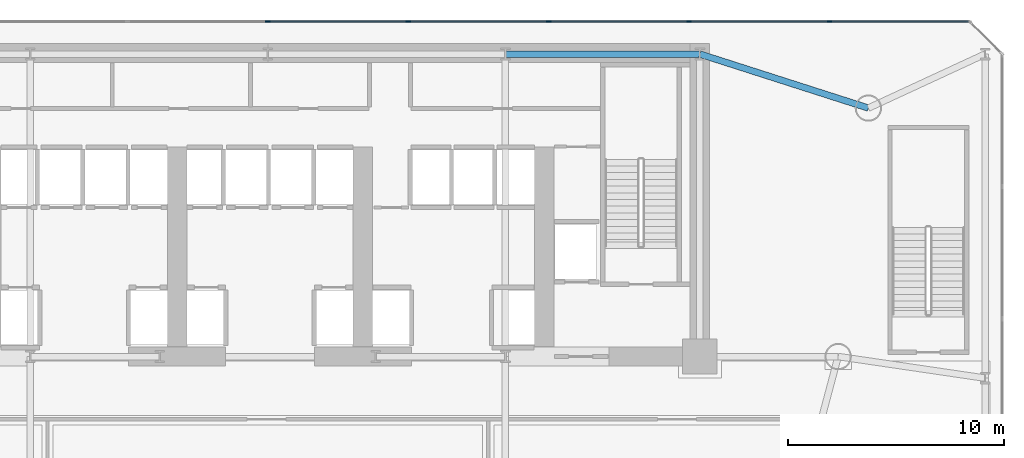
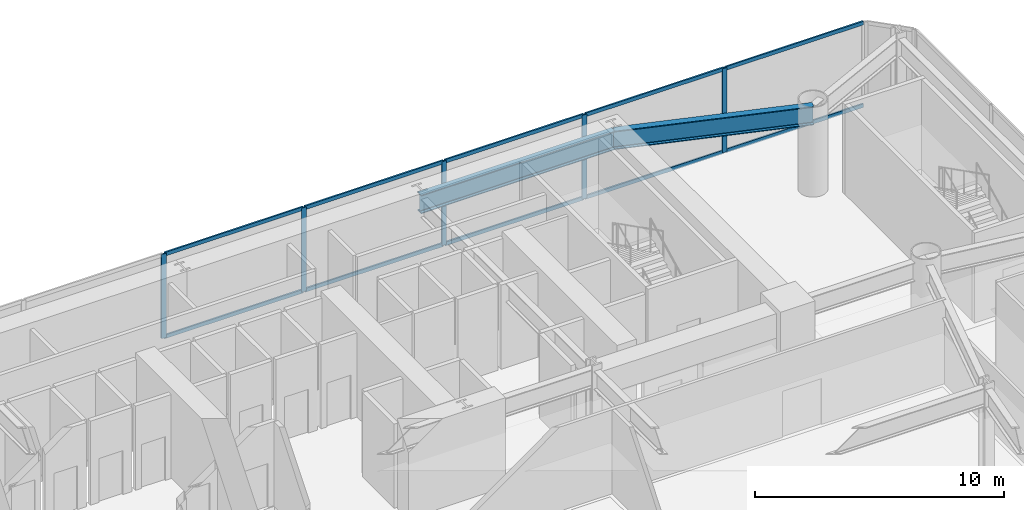
# One storey, part 9 of 24: 15 members, 2 beams, 1 element without a shape of its own.
"""IFC4 building model written with IfcOpenShell, lengths in metres."""

from ifc_helpers import new_model, si_unit, direction, frame, origin, origin_2d, place, context, subcontext, project, spatial, rectangle, i_section, extrude, source, transform, mapped, material, layer, layer_set, material_profile, profile_set, type_object, element, aggregate, save


model = new_model("IFC4")

# Units and contexts
model_context = context("Model", 3, precision=1e-05, world=origin(), true_north=direction((0.0, 1.0)))
body_context = subcontext(model_context, "Body", "Model", "MODEL_VIEW")
ifc_project = project(units=[si_unit("LENGTHUNIT", "METRE"), si_unit("AREAUNIT", "SQUARE_METRE"), si_unit("VOLUMEUNIT", "CUBIC_METRE"), si_unit("PLANEANGLEUNIT", "RADIAN"), si_unit("MASSUNIT", "GRAM", prefix="KILO")], contexts=[model_context])

# Site, building, storey
site_placement = place(None, origin())
site = spatial("IfcSite", under=ifc_project, at=site_placement, CompositionType="ELEMENT")
building_placement = place(site_placement, origin())
building = spatial("IfcBuilding", under=site, at=building_placement, Name="Vaeldorn Concourse Tower", CompositionType="ELEMENT")
storey_placement = place(building_placement, frame((0.0, 0.0, 10.0)))
storey = spatial("IfcBuildingStorey", under=building, at=storey_placement, Name="L02", CompositionType="ELEMENT", Elevation=10.0)

# Beams
ifc_material_1 = material(Name="Steel S355", Category="steel")
ifc_material_profile_1 = material_profile(ifc_material_1, i_section(OverallWidth=0.302001953125, OverallDepth=0.909912109375, WebThickness=0.02099609375, FlangeThickness=0.0400390625, FilletRadius=0.030029296875, at=origin_2d()), Name="HEM 900")
ifc_profile_set_1 = profile_set([ifc_material_profile_1], Name="Steel S355")
beam_type = type_object("IfcBeamType", Name="BM-PG-HEM900", PredefinedType="BEAM", material=ifc_profile_set_1)
shared_shape_1 = source(origin(), body_context, "Body", "SweptSolid", [
    extrude(i_section(OverallWidth=0.302001953125, OverallDepth=0.909912109375, WebThickness=0.02099609375, FlangeThickness=0.0400390625, FilletRadius=0.030029296875, at=origin_2d()), origin(), (0.0, 0.0, 1.0), 9.0),
])
beam_1_placement = place(storey_placement, frame((45.0, 50.5, 3.6650390625), z_axis=(1.0, 0.0, 0.0), x_axis=(0.0, 1.0, 0.0)))
element("IfcBeam", 1, at=beam_1_placement, inside=storey, type_object=beam_type, Name="Beam BM-L02-C-HC4-C-HC5", PredefinedType="BEAM", context=body_context, shape_type="MappedRepresentation", body=[
    mapped(shared_shape_1, transform((0.0, 0.0, 0.0), scale=1.0)),
])
shared_shape_2 = source(origin(), body_context, "Body", "SweptSolid", [
    extrude(i_section(OverallWidth=0.302001953125, OverallDepth=0.909912109375, WebThickness=0.02099609375, FlangeThickness=0.0400390625, FilletRadius=0.030029296875, at=origin_2d()), origin(), (0.0, 0.0, 1.0), 8.19091796875),
])
beam_2_placement = place(storey_placement, frame((54.0, 50.5, 3.6650390625), z_axis=(0.952282843383, -0.305216949396, 0.0), x_axis=(0.305216949396, 0.952282843383, 0.0)))
element("IfcBeam", 2, at=beam_2_placement, inside=storey, type_object=beam_type, Name="Beam BM-L02-C-HC5-C-NE1", PredefinedType="BEAM", context=body_context, shape_type="MappedRepresentation", body=[
    mapped(shared_shape_2, transform((0.0, 0.0, 0.0), scale=1.0)),
])

# Curtain wall, members
ifc_material_2 = material(Name="Anodised Bronze Aluminium", Category="aluminium")
ifc_layer = layer(ifc_material_2, 0.239990234375)
ifc_layer_set = layer_set([ifc_layer], Name="Anodised Bronze Aluminium")
curtain_wall_type = type_object("IfcCurtainWallType", Name="CW-SYS-04", PredefinedType="NOTDEFINED", material=ifc_layer_set)
curtain_wall_placement = place(storey_placement, origin())
curtain_wall = element("IfcCurtainWall", 3, at=curtain_wall_placement, inside=storey, type_object=curtain_wall_type, Name="Unitised Curtain Wall CW-L02-E05-1", PredefinedType="NOTDEFINED")
ifc_material_profile_2 = material_profile(ifc_material_2, rectangle(XDim=0.074951171875, YDim=0.179931640625, at=origin_2d()), Name="CWT 75x180")
ifc_profile_set_2 = profile_set([ifc_material_profile_2], Name="Anodised Bronze Aluminium")
member_type_1 = type_object("IfcMemberType", Name="CWT-BRONZE-180", PredefinedType="USERDEFINED", material=ifc_profile_set_2)
shared_shape_3 = source(origin(), body_context, "Body", "SweptSolid", [
    extrude(rectangle(XDim=0.074951171875, YDim=0.179931640625, at=origin_2d()), origin(), (0.0, 0.0, 1.0), 6.387451171875),
])
member_1_placement = place(storey_placement, frame((66.425048828125, 52.0, 0.03759765625), z_axis=(-1.0, 0.0, 0.0), x_axis=(0.0, -1.0, 0.0)))
member_1 = element("IfcMember", 4, at=member_1_placement, type_object=member_type_1, Name="CW-04 transom 1.1", ObjectType="TRANSOM", PredefinedType="USERDEFINED", context=body_context, shape_type="MappedRepresentation", body=[
    mapped(shared_shape_3, transform((0.0, 0.0, 0.0), scale=1.0)),
])
member_2_placement = place(storey_placement, frame((66.425048828125, 52.0, 4.08251953125), z_axis=(-1.0, 0.0, 0.0), x_axis=(0.0, -1.0, 0.0)))
member_2 = element("IfcMember", 5, at=member_2_placement, type_object=member_type_1, Name="CW-04 transom 1.2", ObjectType="TRANSOM", PredefinedType="USERDEFINED", context=body_context, shape_type="MappedRepresentation", body=[
    mapped(shared_shape_3, transform((0.0, 0.0, 0.0), scale=1.0)),
])
shared_shape_4 = source(origin(), body_context, "Body", "SweptSolid", [
    extrude(rectangle(XDim=0.074951171875, YDim=0.179931640625, at=origin_2d()), origin(), (0.0, 0.0, 1.0), 6.4248046875),
])
member_3_placement = place(storey_placement, frame((59.96240234375, 52.0, 0.03759765625), z_axis=(-1.0, 0.0, 0.0), x_axis=(0.0, -1.0, 0.0)))
member_3 = element("IfcMember", 6, at=member_3_placement, type_object=member_type_1, Name="CW-04 transom 2.1", ObjectType="TRANSOM", PredefinedType="USERDEFINED", context=body_context, shape_type="MappedRepresentation", body=[
    mapped(shared_shape_4, transform((0.0, 0.0, 0.0), scale=1.0)),
])
member_4_placement = place(storey_placement, frame((59.96240234375, 52.0, 4.08251953125), z_axis=(-1.0, 0.0, 0.0), x_axis=(0.0, -1.0, 0.0)))
member_4 = element("IfcMember", 7, at=member_4_placement, type_object=member_type_1, Name="CW-04 transom 2.2", ObjectType="TRANSOM", PredefinedType="USERDEFINED", context=body_context, shape_type="MappedRepresentation", body=[
    mapped(shared_shape_4, transform((0.0, 0.0, 0.0), scale=1.0)),
])
member_5_placement = place(storey_placement, frame((53.46240234375, 52.0, 0.03759765625), z_axis=(-1.0, 0.0, 0.0), x_axis=(0.0, -1.0, 0.0)))
member_5 = element("IfcMember", 8, at=member_5_placement, type_object=member_type_1, Name="CW-04 transom 3.1", ObjectType="TRANSOM", PredefinedType="USERDEFINED", context=body_context, shape_type="MappedRepresentation", body=[
    mapped(shared_shape_4, transform((0.0, 0.0, 0.0), scale=1.0)),
])
member_6_placement = place(storey_placement, frame((53.46240234375, 52.0, 4.08251953125), z_axis=(-1.0, 0.0, 0.0), x_axis=(0.0, -1.0, 0.0)))
member_6 = element("IfcMember", 9, at=member_6_placement, type_object=member_type_1, Name="CW-04 transom 3.2", ObjectType="TRANSOM", PredefinedType="USERDEFINED", context=body_context, shape_type="MappedRepresentation", body=[
    mapped(shared_shape_4, transform((0.0, 0.0, 0.0), scale=1.0)),
])
member_7_placement = place(storey_placement, frame((46.96240234375, 52.0, 0.03759765625), z_axis=(-1.0, 0.0, 0.0), x_axis=(0.0, -1.0, 0.0)))
member_7 = element("IfcMember", 10, at=member_7_placement, type_object=member_type_1, Name="CW-04 transom 4.1", ObjectType="TRANSOM", PredefinedType="USERDEFINED", context=body_context, shape_type="MappedRepresentation", body=[
    mapped(shared_shape_4, transform((0.0, 0.0, 0.0), scale=1.0)),
])
member_8_placement = place(storey_placement, frame((46.96240234375, 52.0, 4.08251953125), z_axis=(-1.0, 0.0, 0.0), x_axis=(0.0, -1.0, 0.0)))
member_8 = element("IfcMember", 11, at=member_8_placement, type_object=member_type_1, Name="CW-04 transom 4.2", ObjectType="TRANSOM", PredefinedType="USERDEFINED", context=body_context, shape_type="MappedRepresentation", body=[
    mapped(shared_shape_4, transform((0.0, 0.0, 0.0), scale=1.0)),
])
member_9_placement = place(storey_placement, frame((40.46240234375, 52.0, 0.03759765625), z_axis=(-1.0, 0.0, 0.0), x_axis=(0.0, -1.0, 0.0)))
member_9 = element("IfcMember", 12, at=member_9_placement, type_object=member_type_1, Name="CW-04 transom 5.1", ObjectType="TRANSOM", PredefinedType="USERDEFINED", context=body_context, shape_type="MappedRepresentation", body=[
    mapped(shared_shape_4, transform((0.0, 0.0, 0.0), scale=1.0)),
])
member_10_placement = place(storey_placement, frame((40.46240234375, 52.0, 4.08251953125), z_axis=(-1.0, 0.0, 0.0), x_axis=(0.0, -1.0, 0.0)))
member_10 = element("IfcMember", 13, at=member_10_placement, type_object=member_type_1, Name="CW-04 transom 5.2", ObjectType="TRANSOM", PredefinedType="USERDEFINED", context=body_context, shape_type="MappedRepresentation", body=[
    mapped(shared_shape_4, transform((0.0, 0.0, 0.0), scale=1.0)),
])
ifc_material_profile_3 = material_profile(ifc_material_2, rectangle(XDim=0.074951171875, YDim=0.219970703125, at=origin_2d()), Name="CWM 75x220")
ifc_profile_set_3 = profile_set([ifc_material_profile_3], Name="Anodised Bronze Aluminium")
member_type_2 = type_object("IfcMemberType", Name="CWM-BRONZE-220", PredefinedType="MULLION", material=ifc_profile_set_3)
shared_shape_5 = source(origin(), body_context, "Body", "SweptSolid", [
    extrude(rectangle(XDim=0.074951171875, YDim=0.219970703125, at=origin_2d()), origin(), (0.0, 0.0, 1.0), 4.1201171875),
])
member_11_placement = place(storey_placement, frame((60.0, 52.0, 0.0), z_axis=(0.0, 0.0, 1.0), x_axis=(0.0, -1.0, 0.0)))
member_11 = element("IfcMember", 14, at=member_11_placement, type_object=member_type_2, Name="CW-04 mullion 2", PredefinedType="MULLION", context=body_context, shape_type="MappedRepresentation", body=[
    mapped(shared_shape_5, transform((0.0, 0.0, 0.0), scale=1.0)),
])
member_12_placement = place(storey_placement, frame((53.5, 52.0, 0.0), z_axis=(0.0, 0.0, 1.0), x_axis=(0.0, -1.0, 0.0)))
member_12 = element("IfcMember", 15, at=member_12_placement, type_object=member_type_2, Name="CW-04 mullion 3", PredefinedType="MULLION", context=body_context, shape_type="MappedRepresentation", body=[
    mapped(shared_shape_5, transform((0.0, 0.0, 0.0), scale=1.0)),
])
member_13_placement = place(storey_placement, frame((47.0, 52.0, 0.0), z_axis=(0.0, 0.0, 1.0), x_axis=(0.0, -1.0, 0.0)))
member_13 = element("IfcMember", 16, at=member_13_placement, type_object=member_type_2, Name="CW-04 mullion 4", PredefinedType="MULLION", context=body_context, shape_type="MappedRepresentation", body=[
    mapped(shared_shape_5, transform((0.0, 0.0, 0.0), scale=1.0)),
])
member_14_placement = place(storey_placement, frame((40.5, 52.0, 0.0), z_axis=(0.0, 0.0, 1.0), x_axis=(0.0, -1.0, 0.0)))
member_14 = element("IfcMember", 17, at=member_14_placement, type_object=member_type_2, Name="CW-04 mullion 5", PredefinedType="MULLION", context=body_context, shape_type="MappedRepresentation", body=[
    mapped(shared_shape_5, transform((0.0, 0.0, 0.0), scale=1.0)),
])
member_15_placement = place(storey_placement, frame((34.0, 52.0, 0.0), z_axis=(0.0, 0.0, 1.0), x_axis=(0.0, -1.0, 0.0)))
member_15 = element("IfcMember", 18, at=member_15_placement, type_object=member_type_2, Name="CW-04 mullion 6", PredefinedType="MULLION", context=body_context, shape_type="MappedRepresentation", body=[
    mapped(shared_shape_5, transform((0.0, 0.0, 0.0), scale=1.0)),
])
aggregate(curtain_wall, [member_11, member_12, member_13, member_14, member_15, member_1, member_2, member_3, member_4, member_5, member_6, member_7, member_8, member_9, member_10])

save(model, "model.ifc")
